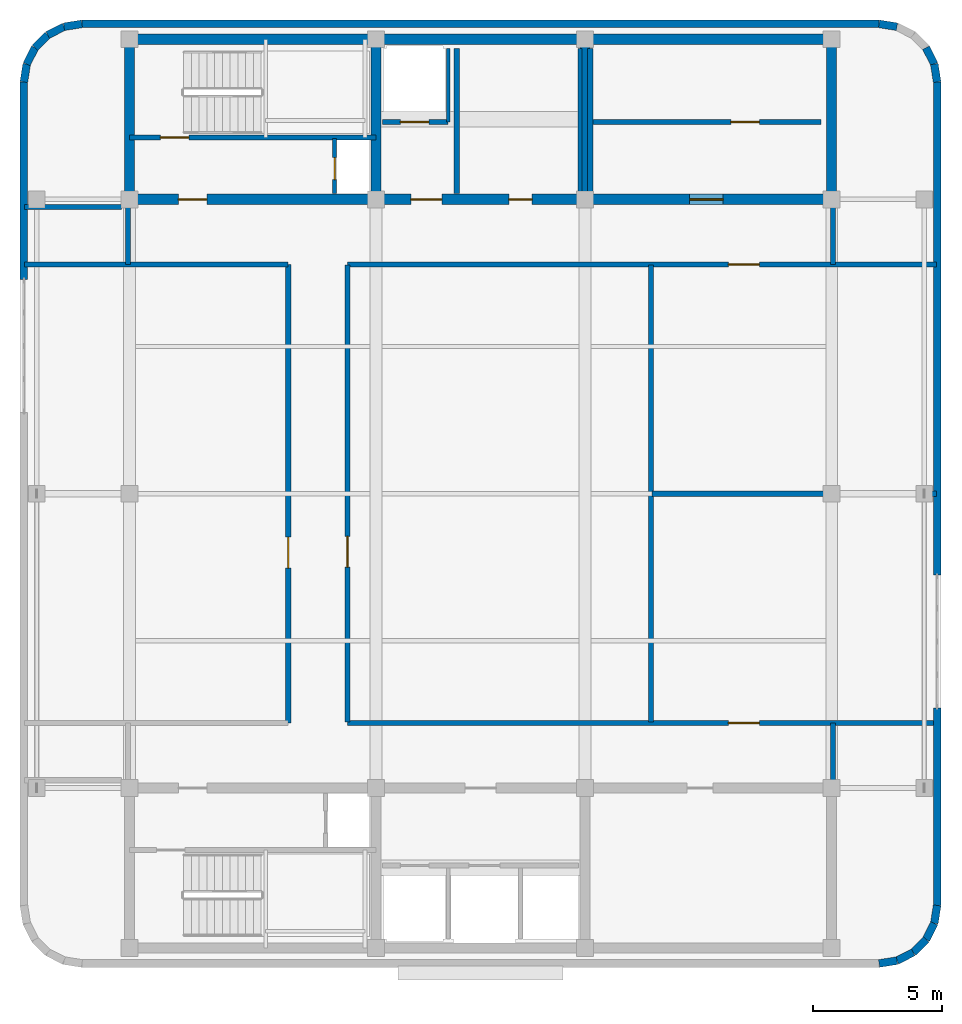
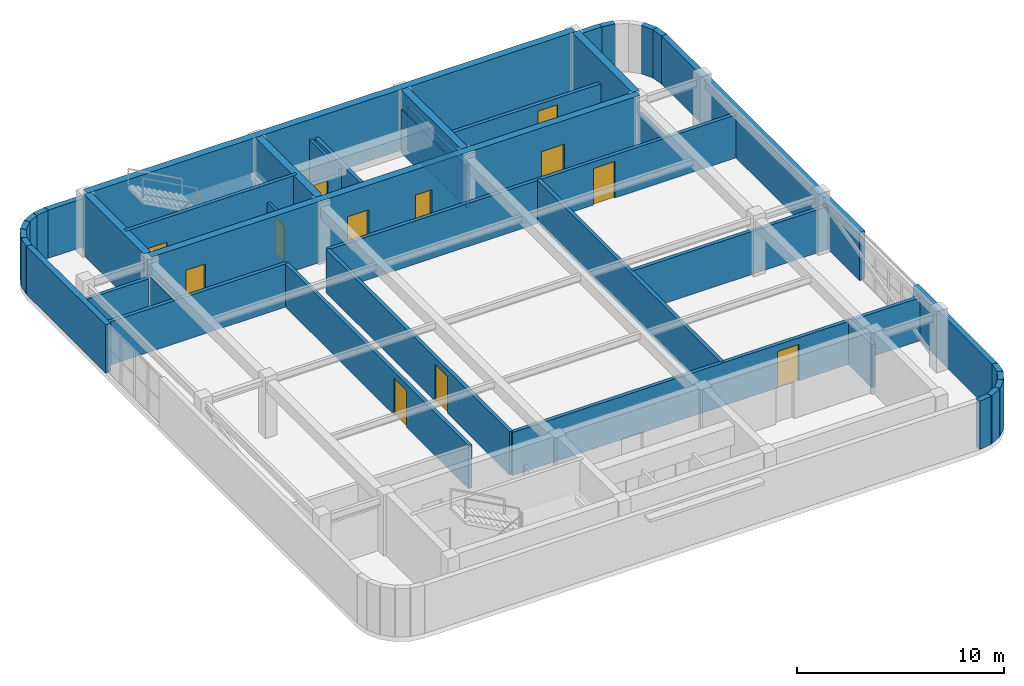
# One storey, part 5 of 9: 42 walls, 12 doors, 12 openings.
"""IFC4 building model written with IfcOpenShell, lengths in metres."""

import ifcopenshell
import ifcopenshell.guid

model = None  # the IFC model being written
_history = None  # IfcOwnerHistory: only IFC2X3 demands one
_inside = {}  # id of a spatial element -> (the spatial element, [elements in it])
_under = {}  # id of a project, library or spatial element -> (it, [spatial elements below it])
_declared = {}  # id of a project -> (the project, [libraries it declares])
_typed = {}  # id of a type object -> (the type object, [elements of that type])
_made_of = {}  # id of a material, layer set ... -> (it, [elements and type objects made of it])


def new_model(schema):
    """Start an empty IFC model of exactly this schema.

    Asked for "IFC4X3", IfcOpenShell would pick the latest addendum, in which some entities
    have other attributes; the version numbers below select the first issue.
    IFC2X3 requires an IfcOwnerHistory on every rooted entity: one is made here for all.
    """
    global model, _history
    if schema == "IFC4X3":
        model = ifcopenshell.file(schema_version=(4, 3, 0, 0))
    else:
        model = ifcopenshell.file(schema=schema)
    _inside.clear()
    _under.clear()
    _declared.clear()
    _typed.clear()
    _made_of.clear()
    _history = None
    if model.schema == "IFC2X3":
        org = make("IfcOrganization", Name="unknown")
        user = make(
            "IfcPersonAndOrganization",
            ThePerson=make("IfcPerson", FamilyName="unknown"),
            TheOrganization=org,
        )
        app = make(
            "IfcApplication",
            ApplicationDeveloper=org,
            Version="unknown",
            ApplicationFullName="unknown",
            ApplicationIdentifier="unknown",
        )
        _history = make(
            "IfcOwnerHistory",
            OwningUser=user,
            OwningApplication=app,
            ChangeAction="ADDED",
            CreationDate=0,
        )
    return model


def make(cls, **values):
    """One entity of the class cls with the attributes given. An attribute that is None is left unset."""
    return model.create_entity(
        cls, **{name: value for name, value in values.items() if value is not None}
    )


def rooted(cls, **values):
    """An entity with a GlobalId (a new one), such as an element, a storey or a relation."""
    return make(cls, GlobalId=ifcopenshell.guid.new(), OwnerHistory=_history, **values)


def si_unit(unit_type, name, prefix=None):
    """IfcSIUnit, for example si_unit("LENGTHUNIT", "METRE", prefix="MILLI")."""
    return make("IfcSIUnit", UnitType=unit_type, Prefix=prefix, Name=name)


def assignment(units):
    """IfcUnitAssignment: the units of a project."""
    return None if units is None else make("IfcUnitAssignment", Units=units)


def point(xyz):
    """IfcCartesianPoint."""
    return None if xyz is None else make("IfcCartesianPoint", Coordinates=xyz)


def direction(xyz):
    """IfcDirection."""
    return None if xyz is None else make("IfcDirection", DirectionRatios=xyz)


def frame(location, z_axis=None, x_axis=None):
    """IfcAxis2Placement3D, a coordinate frame: its origin and axes. An axis left out is left unset."""
    return make(
        "IfcAxis2Placement3D",
        Location=point(location),
        Axis=direction(z_axis),
        RefDirection=direction(x_axis),
    )


def frame_2d(location, x_axis=None):
    """IfcAxis2Placement2D, a coordinate frame in the plane: its origin and x axis."""
    return make(
        "IfcAxis2Placement2D", Location=point(location), RefDirection=direction(x_axis)
    )


def origin():
    """The frame at (0, 0, 0) with its axes left unset."""
    return frame((0.0, 0.0, 0.0))


def place(relative_to, where):
    """IfcLocalPlacement: puts the frame where relative to a parent placement (None: the world)."""
    return make(
        "IfcLocalPlacement", PlacementRelTo=relative_to, RelativePlacement=where
    )


def context(
    kind, dimensions, precision=None, world=None, true_north=None, identifier=None
):
    """IfcGeometricRepresentationContext, for example the 3D "Model" context."""
    return make(
        "IfcGeometricRepresentationContext",
        ContextIdentifier=identifier,
        ContextType=kind,
        CoordinateSpaceDimension=dimensions,
        Precision=precision,
        WorldCoordinateSystem=world,
        TrueNorth=true_north,
    )


def subcontext(parent, identifier, kind, view, scale=None):
    """IfcGeometricRepresentationSubContext, for example "Body" below "Model"."""
    return make(
        "IfcGeometricRepresentationSubContext",
        ContextIdentifier=identifier,
        ContextType=kind,
        ParentContext=parent,
        TargetScale=scale,
        TargetView=view,
    )


def project(units=None, contexts=None):
    """IfcProject with its units and contexts."""
    return rooted(
        "IfcProject",
        Name="project",
        RepresentationContexts=contexts,
        UnitsInContext=assignment(units),
    )


def spatial(cls, under=None, at=None, **own):
    """A site, building, storey or space (cls), placed at a placement, below another one or the project."""
    s = rooted(cls, ObjectPlacement=at, **own)
    if under is not None:
        _under.setdefault(under.id(), (under, []))[1].append(s)
    return s


def profile(cls, at=None, kind="AREA", **sizes):
    """A parametric profile (cls). Its sizes go by their IFC names, for example OverallWidth=200.0."""
    return make(cls, ProfileType=kind, Position=at, **sizes)


def rectangle(**sizes):
    """IfcRectangleProfileDef."""
    return profile("IfcRectangleProfileDef", **sizes)


def extrude(swept, where, along, depth):
    """IfcExtrudedAreaSolid: the profile swept, set in the frame where, extruded along a direction by depth."""
    return make(
        "IfcExtrudedAreaSolid",
        SweptArea=swept,
        Position=where,
        ExtrudedDirection=direction(along),
        Depth=depth,
    )


def shape(context_of_items, identifier, shape_type, items):
    """IfcShapeRepresentation: the items that make up one representation, for example the "Body"."""
    return make(
        "IfcShapeRepresentation",
        ContextOfItems=context_of_items,
        RepresentationIdentifier=identifier,
        RepresentationType=shape_type,
        Items=items,
    )


def material(Name=None, Category=None):
    """IfcMaterial."""
    return make("IfcMaterial", Name=Name, Category=Category)


def layer(
    of_material, thickness, ventilated=None, Name=None, Category=None, Priority=None
):
    """IfcMaterialLayer: one layer of a wall or slab, of a material (None: an air gap)."""
    return make(
        "IfcMaterialLayer",
        Material=of_material,
        LayerThickness=thickness,
        IsVentilated=ventilated,
        Name=Name,
        Category=Category,
        Priority=Priority,
    )


def layer_set(layers, Name=None):
    """IfcMaterialLayerSet."""
    return make("IfcMaterialLayerSet", MaterialLayers=layers, LayerSetName=Name)


def made_of(thing, what):
    """Note that an element or type object is made of a material, layer set ...; save() writes the relation."""
    if what is not None:
        _made_of.setdefault(what.id(), (what, []))[1].append(thing)
    return thing


def type_object(cls, material=None, **own):
    """A type object (cls), such as IfcWallType, which elements share."""
    return made_of(rooted(cls, **own), material)


def element(
    cls,
    number,
    at=None,
    inside=None,
    cuts=None,
    type_object=None,
    material=None,
    context=None,
    identifier="Body",
    shape_type=None,
    held_by="IfcProductDefinitionShape",
    body=None,
    shapes=None,
    **own,
):
    """One element of the class cls, such as IfcWall. Its Tag is "e" and its number.

    at: its placement. inside: the storey or other place that contains it. cuts: it is an
    opening in that element (IfcRelVoidsElement). A single representation is given by context,
    identifier, shape_type and body (its items); several are given by shapes. held_by: the class
    of the entity that holds the representations. save() writes the other relations.
    """
    e = rooted(cls, Tag="e%d" % number, ObjectPlacement=at, **own)
    if body is not None:
        shapes = [shape(context, identifier, shape_type, body)]
    if shapes is not None:
        e.Representation = make(held_by, Representations=shapes)
    if inside is not None:
        _inside.setdefault(inside.id(), (inside, []))[1].append(e)
    if cuts is not None:
        rooted(
            "IfcRelVoidsElement", RelatingBuildingElement=cuts, RelatedOpeningElement=e
        )
    if type_object is not None:
        _typed.setdefault(type_object.id(), (type_object, []))[1].append(e)
    return made_of(e, material)


def fill(opening, filler):
    """IfcRelFillsElement: the door or window that sits in an opening."""
    return rooted(
        "IfcRelFillsElement",
        RelatingOpeningElement=opening,
        RelatedBuildingElement=filler,
    )


def aggregate(whole, parts):
    """IfcRelAggregates: a whole, such as a stair, and the parts it consists of."""
    return rooted("IfcRelAggregates", RelatingObject=whole, RelatedObjects=parts)


def save(model, path):
    """Write the relations noted so far, then the file.

    IfcRelAggregates (storeys below a building ...), IfcRelContainedInSpatialStructure (elements
    in a storey), IfcRelDefinesByType, IfcRelAssociatesMaterial and IfcRelDeclares: one each for
    every whole, place, type object, material and project.
    """
    for whole, parts in _under.values():
        aggregate(whole, parts)
    for where, things in _inside.values():
        rooted(
            "IfcRelContainedInSpatialStructure",
            RelatedElements=things,
            RelatingStructure=where,
        )
    for kind, things in _typed.values():
        rooted("IfcRelDefinesByType", RelatedObjects=things, RelatingType=kind)
    for what, things in _made_of.values():
        rooted("IfcRelAssociatesMaterial", RelatedObjects=things, RelatingMaterial=what)
    for by, libraries in _declared.values():
        rooted("IfcRelDeclares", RelatingContext=by, RelatedDefinitions=libraries)
    model.write(path)


model = new_model("IFC4")

# Units and contexts
model_context = context("Model", 3, precision=1e-05, world=origin(), true_north=direction((0.0, 1.0)))
body_context = subcontext(model_context, "Body", "Model", "MODEL_VIEW")
ifc_project = project(units=[si_unit("LENGTHUNIT", "METRE"), si_unit("AREAUNIT", "SQUARE_METRE"), si_unit("VOLUMEUNIT", "CUBIC_METRE"), si_unit("PLANEANGLEUNIT", "RADIAN"), si_unit("MASSUNIT", "GRAM", prefix="KILO")], contexts=[model_context])

# Site, building, storey
site_placement = place(None, origin())
site = spatial("IfcSite", under=ifc_project, at=site_placement, CompositionType="ELEMENT")
building_placement = place(site_placement, origin())
building = spatial("IfcBuilding", under=site, at=building_placement, Name="Svetorya Sky Lyceum", CompositionType="ELEMENT")
storey_placement = place(building_placement, frame((0.0, 0.0, 316.39990234375)))
storey = spatial("IfcBuildingStorey", under=building, at=storey_placement, Name="C05", CompositionType="ELEMENT", Elevation=316.39990234375)

# Walls
ifc_material_1 = material(Name="Concrete C40/50", Category="concrete")
ifc_layer_1 = layer(ifc_material_1, 0.39990234375)
ifc_layer_set_1 = layer_set([ifc_layer_1], Name="Concrete C40/50")
wall_type_1 = type_object("IfcWallType", Name="WL-CORE-400", PredefinedType="SHEAR", material=ifc_layer_set_1)
wall_1_placement = place(storey_placement, frame((25.60009765625, 45.800048828125, 0.0), z_axis=(0.0, 0.0, 1.0), x_axis=(1.0, 0.0, 0.0)))
element("IfcWall", 1, at=wall_1_placement, inside=storey, type_object=wall_type_1, Name="C05 NC Outer Core Shear Wall", PredefinedType="SHEAR", context=body_context, shape_type="SweptSolid", body=[
    extrude(rectangle(XDim=27.199951171875, YDim=0.39990234375, at=frame_2d((13.60009765625, 0.0))), origin(), (0.0, 0.0, 1.0), 3.60009765625),
])
for number, where, z_axis, x_axis, name in (
    (2, (25.60009765625, 39.800048828125, 0.0), (0.0, 0.0, 1.0), (0.0, 1.0, 0.0), "C05 NC West Core Shear Wall"),
    (3, (52.800048828125, 39.800048828125, 0.0), (0.0, 0.0, 1.0), (0.0, 1.0, 0.0), "C05 NC East Core Shear Wall"),
):
    element("IfcWall", number, at=place(storey_placement, frame(where, z_axis=z_axis, x_axis=x_axis)), inside=storey, type_object=wall_type_1, Name=name, PredefinedType="SHEAR", context=body_context, shape_type="SweptSolid", body=[
        extrude(rectangle(XDim=5.800048828125, YDim=0.39990234375, at=frame_2d((2.89990234375, 0.0))), origin(), (0.0, 0.0, 1.0), 3.60009765625),
    ])

# Wall, openings, doors
wall_2_placement = place(storey_placement, frame((52.800048828125, 39.60009765625, 0.0), z_axis=(0.0, 0.0, 1.0), x_axis=(-1.0, 0.0, 0.0)))
wall_2 = element("IfcWall", 4, at=wall_2_placement, inside=storey, type_object=wall_type_1, Name="C05 NC Inner Core Shear Wall", PredefinedType="SHEAR", context=body_context, shape_type="SweptSolid", body=[
    extrude(rectangle(XDim=27.199951171875, YDim=0.39990234375, at=frame_2d((13.60009765625, 0.0))), origin(), (0.0, 0.0, 1.0), 3.60009765625),
])
opening_1_placement = place(wall_2_placement, frame((24.199951171875, 0.0, 0.0)))
opening_1 = element("IfcOpeningElement", 5, at=opening_1_placement, cuts=wall_2, Name="Opening D-ST1", PredefinedType="OPENING", context=body_context, shape_type="SweptSolid", body=[
    extrude(rectangle(XDim=1.10009765625, YDim=2.14990234375, at=frame_2d((0.550048828125, 1.074951171875))), frame((0.0, 0.2099609375, 0.0), z_axis=(0.0, -1.0, 0.0), x_axis=(1.0, 0.0, 0.0)), (0.0, 0.0, 1.0), 0.419921875),
])
opening_2_placement = place(wall_2_placement, frame((15.10009765625, 0.0, 0.0)))
opening_2 = element("IfcOpeningElement", 6, at=opening_2_placement, cuts=wall_2, Name="Opening D-FL1", PredefinedType="OPENING", context=body_context, shape_type="SweptSolid", body=[
    extrude(rectangle(XDim=1.199951171875, YDim=2.14990234375, at=frame_2d((0.60009765625, 1.074951171875))), frame((0.0, 0.2099609375, 0.0), z_axis=(0.0, -1.0, 0.0), x_axis=(1.0, 0.0, 0.0)), (0.0, 0.0, 1.0), 0.419921875),
])
opening_3_placement = place(wall_2_placement, frame((11.60009765625, 0.0, 0.0)))
opening_3 = element("IfcOpeningElement", 7, at=opening_3_placement, cuts=wall_2, Name="Opening D-RM1", PredefinedType="OPENING", context=body_context, shape_type="SweptSolid", body=[
    extrude(rectangle(XDim=0.89990234375, YDim=2.10009765625, at=frame_2d((0.449951171875, 1.050048828125))), frame((0.0, 0.2099609375, 0.0), z_axis=(0.0, -1.0, 0.0), x_axis=(1.0, 0.0, 0.0)), (0.0, 0.0, 1.0), 0.419921875),
])
opening_4_placement = place(wall_2_placement, frame((4.199951171875, 0.0, 0.0)))
opening_4 = element("IfcOpeningElement", 8, at=opening_4_placement, cuts=wall_2, Name="Opening D-LB1", PredefinedType="OPENING", context=body_context, shape_type="SweptSolid", body=[
    extrude(rectangle(XDim=1.300048828125, YDim=2.199951171875, at=frame_2d((0.64990234375, 1.10009765625))), frame((0.0, 0.2099609375, 0.0), z_axis=(0.0, -1.0, 0.0), x_axis=(1.0, 0.0, 0.0)), (0.0, 0.0, 1.0), 0.419921875),
])
ifc_material_2 = material(Name="Powder-coated insulated galvanized stair fire door")
door_type_1 = type_object("IfcDoorType", Name="DR-FIRE-1100", OperationType="SINGLE_SWING_LEFT", PredefinedType="DOOR", material=ifc_material_2)
door_1_placement = place(opening_1_placement, origin())
door_1 = element("IfcDoor", 9, at=door_1_placement, inside=storey, type_object=door_type_1, Name="C05 North Stair Airlock Door", OperationType="SINGLE_SWING_LEFT", OverallHeight=2.14990234375, OverallWidth=1.10009765625, PredefinedType="DOOR", context=body_context, shape_type="SweptSolid", body=[
    extrude(rectangle(XDim=1.10009765625, YDim=2.14990234375, at=frame_2d((0.550048828125, 1.074951171875))), frame((0.0, 0.02490234375, 0.0), z_axis=(0.0, -1.0, 0.0), x_axis=(1.0, 0.0, 0.0)), (0.0, 0.0, 1.0), 0.050048828125),
])
fill(opening_1, door_1)
ifc_material_3 = material(Name="Powder-coated insulated galvanized fire door")
door_type_2 = type_object("IfcDoorType", Name="DR-FIRE-1200", OperationType="SINGLE_SWING_LEFT", PredefinedType="DOOR", material=ifc_material_3)
door_2_placement = place(opening_2_placement, origin())
door_2 = element("IfcDoor", 10, at=door_2_placement, inside=storey, type_object=door_type_2, Name="C05 North Firefighting Lift Lobby Door", OperationType="SINGLE_SWING_RIGHT", OverallHeight=2.14990234375, OverallWidth=1.199951171875, PredefinedType="DOOR", context=body_context, shape_type="SweptSolid", body=[
    extrude(rectangle(XDim=1.199951171875, YDim=2.14990234375, at=frame_2d((0.60009765625, 1.074951171875))), frame((0.0, 0.02490234375, 0.0), z_axis=(0.0, -1.0, 0.0), x_axis=(1.0, 0.0, 0.0)), (0.0, 0.0, 1.0), 0.050048828125),
])
fill(opening_2, door_2)
ifc_material_4 = material(Name="Lacquered birch veneer internal door")
door_type_3 = type_object("IfcDoorType", Name="DR-INT-900", OperationType="SINGLE_SWING_LEFT", PredefinedType="DOOR", material=ifc_material_4)
door_3_placement = place(opening_3_placement, origin())
door_3 = element("IfcDoor", 11, at=door_3_placement, inside=storey, type_object=door_type_3, Name="C05 Upper Archive Door", OperationType="SINGLE_SWING_LEFT", OverallHeight=2.10009765625, OverallWidth=0.89990234375, PredefinedType="DOOR", context=body_context, shape_type="SweptSolid", body=[
    extrude(rectangle(XDim=0.89990234375, YDim=2.10009765625, at=frame_2d((0.449951171875, 1.050048828125))), frame((0.0, 0.02490234375, 0.0), z_axis=(0.0, -1.0, 0.0), x_axis=(1.0, 0.0, 0.0)), (0.0, 0.0, 1.0), 0.050048828125),
])
fill(opening_3, door_3)
ifc_material_5 = material(Name="Glazed fire-rated aluminium lobby door", Category="aluminium")
door_type_4 = type_object("IfcDoorType", Name="DR-LOB-1300", OperationType="SINGLE_SWING_LEFT", PredefinedType="DOOR", material=ifc_material_5)
door_4_placement = place(opening_4_placement, origin())
door_4 = element("IfcDoor", 12, at=door_4_placement, inside=storey, type_object=door_type_4, Name="C05 Crown Access Lobby Door", OperationType="SINGLE_SWING_LEFT", OverallHeight=2.199951171875, OverallWidth=1.300048828125, PredefinedType="DOOR", context=body_context, shape_type="SweptSolid", body=[
    extrude(rectangle(XDim=1.300048828125, YDim=2.199951171875, at=frame_2d((0.64990234375, 1.10009765625))), frame((0.0, 0.02490234375, 0.0), z_axis=(0.0, -1.0, 0.0), x_axis=(1.0, 0.0, 0.0)), (0.0, 0.0, 1.0), 0.050048828125),
])
fill(opening_4, door_4)

# Walls
for number, where, z_axis, x_axis, name in (
    (13, (35.14990234375, 39.800048828125, 0.0), (0.0, 0.0, 1.0), (0.0, 1.0, 0.0), "C05 NC Internal Shear Web WEB1"),
    (14, (43.25, 39.800048828125, 0.0), (0.0, 0.0, 1.0), (0.0, 1.0, 0.0), "C05 NC Internal Shear Web WEB2"),
):
    element("IfcWall", number, at=place(storey_placement, frame(where, z_axis=z_axis, x_axis=x_axis)), inside=storey, type_object=wall_type_1, Name=name, PredefinedType="SHEAR", context=body_context, shape_type="SweptSolid", body=[
        extrude(rectangle(XDim=5.800048828125, YDim=0.39990234375, at=frame_2d((2.89990234375, 0.0))), origin(), (0.0, 0.0, 1.0), 3.60009765625),
    ])
ifc_material_6 = material(Name="Putilovo limestone rainscreen on autoclaved cellular masonry", Category="masonry")
ifc_layer_2 = layer(ifc_material_6, 0.300048828125)
ifc_layer_set_2 = layer_set([ifc_layer_2], Name="Putilovo limestone rainscreen on autoclaved cellular masonry")
wall_type_2 = type_object("IfcWallType", Name="WL-EXT-300", PredefinedType="SOLIDWALL", material=ifc_layer_set_2)
for number, where, z_axis, x_axis, name in (
    (15, (54.639892578125, 10.0, 0.0), (0.0, 0.0, 1.0), (0.987692567255, 0.156407776626, 0.0), "C05 Limestone Exterior Wall 7M"),
    (16, (55.335205078125, 10.110107421875, 0.0), (0.0, 0.0, 1.0), (0.891002438725, 0.453998517824, 0.0), "C05 Limestone Exterior Wall 8M"),
):
    element("IfcWall", number, at=place(storey_placement, frame(where, z_axis=z_axis, x_axis=x_axis)), inside=storey, type_object=wall_type_2, Name=name, PredefinedType="SOLIDWALL", context=body_context, shape_type="SweptSolid", body=[
        extrude(rectangle(XDim=0.703857421875, YDim=0.300048828125, at=frame_2d((0.35205078125, 0.0))), origin(), (0.0, 0.0, 1.0), 2.840087890625),
    ])
wall_3_placement = place(storey_placement, frame((55.96240234375, 10.4296875, 0.0), z_axis=(0.0, 0.0, 1.0), x_axis=(0.707106781187, 0.707106781187, 0.0)))
element("IfcWall", 17, at=wall_3_placement, inside=storey, type_object=wall_type_2, Name="C05 Limestone Exterior Wall 9M", PredefinedType="SOLIDWALL", context=body_context, shape_type="SweptSolid", body=[
    extrude(rectangle(XDim=0.7041015625, YDim=0.300048828125, at=frame_2d((0.35205078125, 0.0))), origin(), (0.0, 0.0, 1.0), 2.840087890625),
])
for number, where, z_axis, x_axis, name in (
    (18, (56.460205078125, 10.927490234375, 0.0), (0.0, 0.0, 1.0), (0.453998517824, 0.891002438725, 0.0), "C05 Limestone Exterior Wall 10M"),
    (19, (56.77978515625, 11.5546875, 0.0), (0.0, 0.0, 1.0), (0.156407776626, 0.987692567255, 0.0), "C05 Limestone Exterior Wall 11M"),
):
    element("IfcWall", number, at=place(storey_placement, frame(where, z_axis=z_axis, x_axis=x_axis)), inside=storey, type_object=wall_type_2, Name=name, PredefinedType="SOLIDWALL", context=body_context, shape_type="SweptSolid", body=[
        extrude(rectangle(XDim=0.703857421875, YDim=0.300048828125, at=frame_2d((0.35205078125, 0.0))), origin(), (0.0, 0.0, 1.0), 2.840087890625),
    ])
wall_4_placement = place(storey_placement, frame((56.889892578125, 12.25, 0.0), z_axis=(0.0, 0.0, 1.0), x_axis=(0.0, 1.0, 0.0)))
element("IfcWall", 20, at=wall_4_placement, inside=storey, type_object=wall_type_2, Name="C05 Limestone Exterior Wall 12A", PredefinedType="SOLIDWALL", context=body_context, shape_type="SweptSolid", body=[
    extrude(rectangle(XDim=7.64990234375, YDim=0.300048828125, at=frame_2d((3.824951171875, 0.0))), origin(), (0.0, 0.0, 1.0), 2.840087890625),
])
wall_5_placement = place(storey_placement, frame((56.889892578125, 25.050048828125, 0.0), z_axis=(0.0, 0.0, 1.0), x_axis=(0.0, 1.0, 0.0)))
element("IfcWall", 21, at=wall_5_placement, inside=storey, type_object=wall_type_2, Name="C05 Limestone Exterior Wall 12B", PredefinedType="SOLIDWALL", context=body_context, shape_type="SweptSolid", body=[
    extrude(rectangle(XDim=19.099853515625, YDim=0.300048828125, at=frame_2d((9.5498046875, 0.0))), origin(), (0.0, 0.0, 1.0), 2.840087890625),
])
for number, where, z_axis, x_axis, name in (
    (22, (56.889892578125, 44.14990234375, 0.0), (0.0, 0.0, 1.0), (-0.156407776626, 0.987692567255, 0.0), "C05 Limestone Exterior Wall 13M"),
    (23, (56.77978515625, 44.84521484375, 0.0), (0.0, 0.0, 1.0), (-0.453998517824, 0.891002438725, 0.0), "C05 Limestone Exterior Wall 14M"),
    (24, (55.335205078125, 46.289794921875, 0.0), (0.0, 0.0, 1.0), (-0.987692567255, 0.156407776626, 0.0), "C05 Limestone Exterior Wall 17M"),
):
    element("IfcWall", number, at=place(storey_placement, frame(where, z_axis=z_axis, x_axis=x_axis)), inside=storey, type_object=wall_type_2, Name=name, PredefinedType="SOLIDWALL", context=body_context, shape_type="SweptSolid", body=[
        extrude(rectangle(XDim=0.703857421875, YDim=0.300048828125, at=frame_2d((0.35205078125, 0.0))), origin(), (0.0, 0.0, 1.0), 2.840087890625),
    ])
wall_6_placement = place(storey_placement, frame((54.639892578125, 46.39990234375, 0.0), z_axis=(0.0, 0.0, 1.0), x_axis=(-1.0, 0.0, 0.0)))
element("IfcWall", 25, at=wall_6_placement, inside=storey, type_object=wall_type_2, Name="C05 Limestone Exterior Wall 18M", PredefinedType="SOLIDWALL", context=body_context, shape_type="SweptSolid", body=[
    extrude(rectangle(XDim=30.8798828125, YDim=0.300048828125, at=frame_2d((15.43994140625, 0.0))), origin(), (0.0, 0.0, 1.0), 2.840087890625),
])
for number, where, z_axis, x_axis, name in (
    (26, (23.760009765625, 46.39990234375, 0.0), (0.0, 0.0, 1.0), (-0.987692567255, -0.156407776626, 0.0), "C05 Limestone Exterior Wall 19M"),
    (27, (23.064697265625, 46.289794921875, 0.0), (0.0, 0.0, 1.0), (-0.891002438725, -0.453998517824, 0.0), "C05 Limestone Exterior Wall 20M"),
):
    element("IfcWall", number, at=place(storey_placement, frame(where, z_axis=z_axis, x_axis=x_axis)), inside=storey, type_object=wall_type_2, Name=name, PredefinedType="SOLIDWALL", context=body_context, shape_type="SweptSolid", body=[
        extrude(rectangle(XDim=0.703857421875, YDim=0.300048828125, at=frame_2d((0.35205078125, 0.0))), origin(), (0.0, 0.0, 1.0), 2.840087890625),
    ])
wall_7_placement = place(storey_placement, frame((22.4375, 45.97021484375, 0.0), z_axis=(0.0, 0.0, 1.0), x_axis=(-0.707106781187, -0.707106781187, 0.0)))
element("IfcWall", 28, at=wall_7_placement, inside=storey, type_object=wall_type_2, Name="C05 Limestone Exterior Wall 21M", PredefinedType="SOLIDWALL", context=body_context, shape_type="SweptSolid", body=[
    extrude(rectangle(XDim=0.7041015625, YDim=0.300048828125, at=frame_2d((0.35205078125, 0.0))), origin(), (0.0, 0.0, 1.0), 2.840087890625),
])
for number, where, z_axis, x_axis, name in (
    (29, (21.939697265625, 45.472412109375, 0.0), (0.0, 0.0, 1.0), (-0.453998517824, -0.891002438725, 0.0), "C05 Limestone Exterior Wall 22M"),
    (30, (21.6201171875, 44.84521484375, 0.0), (0.0, 0.0, 1.0), (-0.156407776626, -0.987692567255, 0.0), "C05 Limestone Exterior Wall 23M"),
):
    element("IfcWall", number, at=place(storey_placement, frame(where, z_axis=z_axis, x_axis=x_axis)), inside=storey, type_object=wall_type_2, Name=name, PredefinedType="SOLIDWALL", context=body_context, shape_type="SweptSolid", body=[
        extrude(rectangle(XDim=0.703857421875, YDim=0.300048828125, at=frame_2d((0.35205078125, 0.0))), origin(), (0.0, 0.0, 1.0), 2.840087890625),
    ])
wall_8_placement = place(storey_placement, frame((21.510009765625, 44.14990234375, 0.0), z_axis=(0.0, 0.0, 1.0), x_axis=(0.0, -1.0, 0.0)))
element("IfcWall", 31, at=wall_8_placement, inside=storey, type_object=wall_type_2, Name="C05 Limestone Exterior Wall 24A", PredefinedType="SOLIDWALL", context=body_context, shape_type="SweptSolid", body=[
    extrude(rectangle(XDim=7.64990234375, YDim=0.300048828125, at=frame_2d((3.824951171875, 0.0))), origin(), (0.0, 0.0, 1.0), 2.840087890625),
])

# Wall, opening, door
ifc_material_7 = material(Name="Autoclaved cellular masonry blockwork with acoustic render", Category="masonry")
ifc_layer_3 = layer(ifc_material_7, 0.14990234375)
ifc_layer_set_3 = layer_set([ifc_layer_3], Name="Autoclaved cellular masonry blockwork with acoustic render")
wall_type_3 = type_object("IfcWallType", Name="WL-PART-150", PredefinedType="PARTITIONING", material=ifc_layer_set_3)
wall_9_placement = place(storey_placement, frame((33.550048828125, 39.820068359375, 0.0), z_axis=(0.0, 0.0, 1.0), x_axis=(0.0, 1.0, 0.0)))
wall_9 = element("IfcWall", 32, at=wall_9_placement, inside=storey, type_object=wall_type_3, Name="C05 Interior Partition NC-RSRW", PredefinedType="PARTITIONING", context=body_context, shape_type="SweptSolid", body=[
    extrude(rectangle(XDim=2.1298828125, YDim=0.14990234375, at=frame_2d((1.06494140625, 0.0))), origin(), (0.0, 0.0, 1.0), 2.5400390625),
])
opening_5_placement = place(wall_9_placement, frame((0.550048828125, 0.0, 0.0)))
opening_5 = element("IfcOpeningElement", 33, at=opening_5_placement, cuts=wall_9, Name="Opening D-SH1", PredefinedType="OPENING", context=body_context, shape_type="SweptSolid", body=[
    extrude(rectangle(XDim=0.85009765625, YDim=2.050048828125, at=frame_2d((0.425048828125, 1.02490234375))), frame((0.0, 0.0849609375, 0.0), z_axis=(0.0, -1.0, 0.0), x_axis=(1.0, 0.0, 0.0)), (0.0, 0.0, 1.0), 0.169921875),
])
ifc_material_8 = material(Name="Insulated galvanized riser inspection fire door")
door_type_5 = type_object("IfcDoorType", Name="DR-SHFT-850", OperationType="SINGLE_SWING_LEFT", PredefinedType="TRAPDOOR", material=ifc_material_8)
door_5_placement = place(opening_5_placement, origin())
door_5 = element("IfcDoor", 34, at=door_5_placement, inside=storey, type_object=door_type_5, Name="C05 North Riser Access Door", OperationType="SINGLE_SWING_LEFT", OverallHeight=2.050048828125, OverallWidth=0.85009765625, PredefinedType="TRAPDOOR", context=body_context, shape_type="SweptSolid", body=[
    extrude(rectangle(XDim=0.85009765625, YDim=2.050048828125, at=frame_2d((0.425048828125, 1.02490234375))), frame((0.0, 0.02490234375, 0.0), z_axis=(0.0, -1.0, 0.0), x_axis=(1.0, 0.0, 0.0)), (0.0, 0.0, 1.0), 0.050048828125),
])
fill(opening_5, door_5)

# Walls
wall_10_placement = place(storey_placement, frame((37.949951171875, 42.60009765625, 0.0), z_axis=(0.0, 0.0, 1.0), x_axis=(0.0, 1.0, 0.0)))
element("IfcWall", 35, at=wall_10_placement, inside=storey, type_object=wall_type_3, Name="C05 Interior Partition NC-FL1SIDE", PredefinedType="PARTITIONING", context=body_context, shape_type="SweptSolid", body=[
    extrude(rectangle(XDim=2.849853515625, YDim=0.14990234375, at=frame_2d((1.4248046875, 0.0))), origin(), (0.0, 0.0, 1.0), 2.5400390625),
])
wall_11_placement = place(storey_placement, frame((43.050048828125, 39.820068359375, 0.0), z_axis=(0.0, 0.0, 1.0), x_axis=(0.0, 1.0, 0.0)))
element("IfcWall", 36, at=wall_11_placement, inside=storey, type_object=wall_type_3, Name="C05 Interior Partition NC-FPM-END", PredefinedType="PARTITIONING", context=body_context, shape_type="SweptSolid", body=[
    extrude(rectangle(XDim=5.6298828125, YDim=0.14990234375, at=frame_2d((2.81494140625, 0.0))), origin(), (0.0, 0.0, 1.0), 2.5400390625),
])

# Wall, opening, door
ifc_material_9 = material(Name="Autoclaved cellular masonry blockwork with gypsum plaster", Category="masonry")
ifc_layer_4 = layer(ifc_material_9, 0.199951171875)
ifc_layer_set_4 = layer_set([ifc_layer_4], Name="Autoclaved cellular masonry blockwork with gypsum plaster")
wall_type_4 = type_object("IfcWallType", Name="WL-PART-200", PredefinedType="PARTITIONING", material=ifc_layer_set_4)
wall_12_placement = place(storey_placement, frame((37.949951171875, 42.60009765625, 0.0), z_axis=(0.0, 0.0, 1.0), x_axis=(-1.0, 0.0, 0.0)))
wall_12 = element("IfcWall", 37, at=wall_12_placement, inside=storey, type_object=wall_type_4, Name="C05 Interior Partition NC-FL1W", PredefinedType="PARTITIONING", context=body_context, shape_type="SweptSolid", body=[
    extrude(rectangle(XDim=2.550048828125, YDim=0.199951171875, at=frame_2d((1.27490234375, 0.0))), origin(), (0.0, 0.0, 1.0), 2.2001953125),
])
opening_6_placement = place(wall_12_placement, frame((0.75, 0.0, 0.0)))
opening_6 = element("IfcOpeningElement", 38, at=opening_6_placement, cuts=wall_12, Name="Opening LD-FL", PredefinedType="OPENING", context=body_context, shape_type="SweptSolid", body=[
    extrude(rectangle(XDim=1.10009765625, YDim=2.14990234375, at=frame_2d((0.550048828125, 1.074951171875))), frame((0.0, 0.10986328125, 0.0), z_axis=(0.0, -1.0, 0.0), x_axis=(1.0, 0.0, 0.0)), (0.0, 0.0, 1.0), 0.219970703125),
])
ifc_material_10 = material(Name="Fire-rated stainless AISI 304 firefighting lift landing door")
door_type_6 = type_object("IfcDoorType", Name="DR-LIFT-1100", OperationType="SLIDING_TO_LEFT", PredefinedType="DOOR", material=ifc_material_10)
door_6_placement = place(opening_6_placement, origin())
door_6 = element("IfcDoor", 39, at=door_6_placement, inside=storey, type_object=door_type_6, Name="C05 Firefighting Lift FL1 Landing Door", OperationType="SLIDING_TO_LEFT", OverallHeight=2.14990234375, OverallWidth=1.10009765625, PredefinedType="DOOR", context=body_context, shape_type="SweptSolid", body=[
    extrude(rectangle(XDim=1.10009765625, YDim=2.14990234375, at=frame_2d((0.550048828125, 1.074951171875))), frame((0.0, 0.02490234375, 0.0), z_axis=(0.0, -1.0, 0.0), x_axis=(1.0, 0.0, 0.0)), (0.0, 0.0, 1.0), 0.050048828125),
])
fill(opening_6, door_6)

# Walls
for number, where, z_axis, x_axis, name in (
    (40, (38.280029296875, 39.820068359375, 0.0), (0.0, 0.0, 1.0), (0.0, 1.0, 0.0), "C05 Interior Partition NC-FFLDIV"),
    (41, (43.449951171875, 39.820068359375, 0.0), (0.0, 0.0, 1.0), (0.0, 1.0, 0.0), "C05 Interior Partition NC-CPMR-W"),
):
    element("IfcWall", number, at=place(storey_placement, frame(where, z_axis=z_axis, x_axis=x_axis)), inside=storey, type_object=wall_type_4, Name=name, PredefinedType="PARTITIONING", context=body_context, shape_type="SweptSolid", body=[
        extrude(rectangle(XDim=5.6298828125, YDim=0.199951171875, at=frame_2d((2.81494140625, 0.0))), origin(), (0.0, 0.0, 1.0), 2.5400390625),
    ])

# Wall, opening, door
wall_13_placement = place(storey_placement, frame((52.39990234375, 42.60009765625, 0.0), z_axis=(0.0, 0.0, 1.0), x_axis=(-1.0, 0.0, 0.0)))
wall_13 = element("IfcWall", 42, at=wall_13_placement, inside=storey, type_object=wall_type_4, Name="C05 Interior Partition NC-PHW", PredefinedType="PARTITIONING", context=body_context, shape_type="SweptSolid", body=[
    extrude(rectangle(XDim=8.849853515625, YDim=0.199951171875, at=frame_2d((4.4248046875, 0.0))), origin(), (0.0, 0.0, 1.0), 2.5400390625),
])
opening_7_placement = place(wall_13_placement, frame((2.39990234375, 0.0, 0.0)))
opening_7 = element("IfcOpeningElement", 43, at=opening_7_placement, cuts=wall_13, Name="Opening D-ST1", PredefinedType="OPENING", context=body_context, shape_type="SweptSolid", body=[
    extrude(rectangle(XDim=1.10009765625, YDim=2.14990234375, at=frame_2d((0.550048828125, 1.074951171875))), frame((0.0, 0.10986328125, 0.0), z_axis=(0.0, -1.0, 0.0), x_axis=(1.0, 0.0, 0.0)), (0.0, 0.0, 1.0), 0.219970703125),
])
door_7_placement = place(opening_7_placement, origin())
door_7 = element("IfcDoor", 44, at=door_7_placement, inside=storey, type_object=door_type_1, Name="C05 Lift Motor Room Door", OperationType="SINGLE_SWING_LEFT", OverallHeight=2.14990234375, OverallWidth=1.10009765625, PredefinedType="DOOR", context=body_context, shape_type="SweptSolid", body=[
    extrude(rectangle(XDim=1.10009765625, YDim=2.14990234375, at=frame_2d((0.550048828125, 1.074951171875))), frame((0.0, 0.02490234375, 0.0), z_axis=(0.0, -1.0, 0.0), x_axis=(1.0, 0.0, 0.0)), (0.0, 0.0, 1.0), 0.050048828125),
])
fill(opening_7, door_7)

# Wall
wall_14_placement = place(storey_placement, frame((21.530029296875, 37.080078125, 0.0), z_axis=(0.0, 0.0, 1.0), x_axis=(1.0, 0.0, 0.0)))
element("IfcWall", 45, at=wall_14_placement, inside=storey, type_object=wall_type_4, Name="C05 Interior Partition PL-NW", PredefinedType="PARTITIONING", context=body_context, shape_type="SweptSolid", body=[
    extrude(rectangle(XDim=10.219970703125, YDim=0.199951171875, at=frame_2d((5.10986328125, 0.0))), origin(), (0.0, 0.0, 1.0), 2.5400390625),
])

# Wall, opening, door
wall_15_placement = place(storey_placement, frame((31.75, 19.320068359375, 0.0), z_axis=(0.0, 0.0, 1.0), x_axis=(0.0, 1.0, 0.0)))
wall_15 = element("IfcWall", 46, at=wall_15_placement, inside=storey, type_object=wall_type_4, Name="C05 Interior Partition PL-W1", PredefinedType="PARTITIONING", context=body_context, shape_type="SweptSolid", body=[
    extrude(rectangle(XDim=17.760009765625, YDim=0.199951171875, at=frame_2d((8.8798828125, 0.0))), origin(), (0.0, 0.0, 1.0), 2.5400390625),
])
opening_8_placement = place(wall_15_placement, frame((6.0, 0.0, 0.0)))
opening_8 = element("IfcOpeningElement", 47, at=opening_8_placement, cuts=wall_15, Name="Opening D-FL1", PredefinedType="OPENING", context=body_context, shape_type="SweptSolid", body=[
    extrude(rectangle(XDim=1.199951171875, YDim=2.14990234375, at=frame_2d((0.60009765625, 1.074951171875))), frame((0.0, 0.10986328125, 0.0), z_axis=(0.0, -1.0, 0.0), x_axis=(1.0, 0.0, 0.0)), (0.0, 0.0, 1.0), 0.219970703125),
])
door_8_placement = place(opening_8_placement, origin())
door_8 = element("IfcDoor", 48, at=door_8_placement, inside=storey, type_object=door_type_2, Name="C05 West Plant Door", OperationType="SINGLE_SWING_LEFT", OverallHeight=2.14990234375, OverallWidth=1.199951171875, PredefinedType="DOOR", context=body_context, shape_type="SweptSolid", body=[
    extrude(rectangle(XDim=1.199951171875, YDim=2.14990234375, at=frame_2d((0.60009765625, 1.074951171875))), frame((0.0, 0.02490234375, 0.0), z_axis=(0.0, -1.0, 0.0), x_axis=(1.0, 0.0, 0.0)), (0.0, 0.0, 1.0), 0.050048828125),
])
fill(opening_8, door_8)

wall_16_placement = place(storey_placement, frame((34.050048828125, 19.35009765625, 0.0), z_axis=(0.0, 0.0, 1.0), x_axis=(0.0, 1.0, 0.0)))
wall_16 = element("IfcWall", 49, at=wall_16_placement, inside=storey, type_object=wall_type_4, Name="C05 Interior Partition PL-W2", PredefinedType="PARTITIONING", context=body_context, shape_type="SweptSolid", body=[
    extrude(rectangle(XDim=17.699951171875, YDim=0.199951171875, at=frame_2d((8.85009765625, 0.0))), origin(), (0.0, 0.0, 1.0), 2.5400390625),
])
opening_9_placement = place(wall_16_placement, frame((6.0, 0.0, 0.0)))
opening_9 = element("IfcOpeningElement", 50, at=opening_9_placement, cuts=wall_16, Name="Opening D-FL1", PredefinedType="OPENING", context=body_context, shape_type="SweptSolid", body=[
    extrude(rectangle(XDim=1.199951171875, YDim=2.14990234375, at=frame_2d((0.60009765625, 1.074951171875))), frame((0.0, 0.10986328125, 0.0), z_axis=(0.0, -1.0, 0.0), x_axis=(1.0, 0.0, 0.0)), (0.0, 0.0, 1.0), 0.219970703125),
])
door_9_placement = place(opening_9_placement, origin())
door_9 = element("IfcDoor", 51, at=door_9_placement, inside=storey, type_object=door_type_2, Name="C05 Central Plant Door", OperationType="SINGLE_SWING_RIGHT", OverallHeight=2.14990234375, OverallWidth=1.199951171875, PredefinedType="DOOR", context=body_context, shape_type="SweptSolid", body=[
    extrude(rectangle(XDim=1.199951171875, YDim=2.14990234375, at=frame_2d((0.60009765625, 1.074951171875))), frame((0.0, 0.02490234375, 0.0), z_axis=(0.0, -1.0, 0.0), x_axis=(1.0, 0.0, 0.0)), (0.0, 0.0, 1.0), 0.050048828125),
])
fill(opening_9, door_9)

# Walls
wall_17_placement = place(storey_placement, frame((45.800048828125, 19.35009765625, 0.0), z_axis=(0.0, 0.0, 1.0), x_axis=(0.0, 1.0, 0.0)))
element("IfcWall", 52, at=wall_17_placement, inside=storey, type_object=wall_type_4, Name="C05 Interior Partition PL-W3", PredefinedType="PARTITIONING", context=body_context, shape_type="SweptSolid", body=[
    extrude(rectangle(XDim=17.699951171875, YDim=0.199951171875, at=frame_2d((8.85009765625, 0.0))), origin(), (0.0, 0.0, 1.0), 2.5400390625),
])
wall_18_placement = place(storey_placement, frame((45.85009765625, 28.199951171875, 0.0), z_axis=(0.0, 0.0, 1.0), x_axis=(1.0, 0.0, 0.0)))
element("IfcWall", 53, at=wall_18_placement, inside=storey, type_object=wall_type_4, Name="C05 Interior Partition PL-H3", PredefinedType="PARTITIONING", context=body_context, shape_type="SweptSolid", body=[
    extrude(rectangle(XDim=11.02001953125, YDim=0.199951171875, at=frame_2d((5.510009765625, 0.0))), origin(), (0.0, 0.0, 1.0), 2.5400390625),
])

# Wall, opening, door
wall_19_placement = place(storey_placement, frame((34.050048828125, 19.320068359375, 0.0), z_axis=(0.0, 0.0, 1.0), x_axis=(1.0, 0.0, 0.0)))
wall_19 = element("IfcWall", 54, at=wall_19_placement, inside=storey, type_object=wall_type_4, Name="C05 Interior Partition PL-S", PredefinedType="PARTITIONING", context=body_context, shape_type="SweptSolid", body=[
    extrude(rectangle(XDim=22.820068359375, YDim=0.199951171875, at=frame_2d((11.41015625, 0.0))), origin(), (0.0, 0.0, 1.0), 2.5400390625),
])
opening_10_placement = place(wall_19_placement, frame((14.75, 0.0, 0.0)))
opening_10 = element("IfcOpeningElement", 55, at=opening_10_placement, cuts=wall_19, Name="Opening D-FL1", PredefinedType="OPENING", context=body_context, shape_type="SweptSolid", body=[
    extrude(rectangle(XDim=1.199951171875, YDim=2.14990234375, at=frame_2d((0.60009765625, 1.074951171875))), frame((0.0, 0.10986328125, 0.0), z_axis=(0.0, -1.0, 0.0), x_axis=(1.0, 0.0, 0.0)), (0.0, 0.0, 1.0), 0.219970703125),
])
door_10_placement = place(opening_10_placement, origin())
door_10 = element("IfcDoor", 56, at=door_10_placement, inside=storey, type_object=door_type_2, Name="C05 South-East Plant Door", OperationType="SINGLE_SWING_LEFT", OverallHeight=2.14990234375, OverallWidth=1.199951171875, PredefinedType="DOOR", context=body_context, shape_type="SweptSolid", body=[
    extrude(rectangle(XDim=1.199951171875, YDim=2.14990234375, at=frame_2d((0.60009765625, 1.074951171875))), frame((0.0, 0.02490234375, 0.0), z_axis=(0.0, -1.0, 0.0), x_axis=(1.0, 0.0, 0.0)), (0.0, 0.0, 1.0), 0.050048828125),
])
fill(opening_10, door_10)

wall_20_placement = place(storey_placement, frame((56.8701171875, 37.080078125, 0.0), z_axis=(0.0, 0.0, 1.0), x_axis=(-1.0, 0.0, 0.0)))
wall_20 = element("IfcWall", 57, at=wall_20_placement, inside=storey, type_object=wall_type_4, Name="C05 Interior Partition PL-N", PredefinedType="PARTITIONING", context=body_context, shape_type="SweptSolid", body=[
    extrude(rectangle(XDim=22.820068359375, YDim=0.199951171875, at=frame_2d((11.41015625, 0.0))), origin(), (0.0, 0.0, 1.0), 2.5400390625),
])
opening_11_placement = place(wall_20_placement, frame((6.8701171875, 0.0, 0.0)))
opening_11 = element("IfcOpeningElement", 58, at=opening_11_placement, cuts=wall_20, Name="Opening D-FL1", PredefinedType="OPENING", context=body_context, shape_type="SweptSolid", body=[
    extrude(rectangle(XDim=1.199951171875, YDim=2.14990234375, at=frame_2d((0.60009765625, 1.074951171875))), frame((0.0, 0.10986328125, 0.0), z_axis=(0.0, -1.0, 0.0), x_axis=(1.0, 0.0, 0.0)), (0.0, 0.0, 1.0), 0.219970703125),
])
door_11_placement = place(opening_11_placement, origin())
door_11 = element("IfcDoor", 59, at=door_11_placement, inside=storey, type_object=door_type_2, Name="C05 North-East Plant Door", OperationType="SINGLE_SWING_RIGHT", OverallHeight=2.14990234375, OverallWidth=1.199951171875, PredefinedType="DOOR", context=body_context, shape_type="SweptSolid", body=[
    extrude(rectangle(XDim=1.199951171875, YDim=2.14990234375, at=frame_2d((0.60009765625, 1.074951171875))), frame((0.0, 0.02490234375, 0.0), z_axis=(0.0, -1.0, 0.0), x_axis=(1.0, 0.0, 0.0)), (0.0, 0.0, 1.0), 0.050048828125),
])
fill(opening_11, door_11)

# Walls
wall_21_placement = place(storey_placement, frame((52.85009765625, 16.949951171875, 0.0), z_axis=(0.0, 0.0, 1.0), x_axis=(0.0, 1.0, 0.0)))
element("IfcWall", 60, at=wall_21_placement, inside=storey, type_object=wall_type_4, Name="C05 Interior Partition PL-SE-END", PredefinedType="PARTITIONING", context=body_context, shape_type="SweptSolid", body=[
    extrude(rectangle(XDim=2.3701171875, YDim=0.199951171875, at=frame_2d((1.18505859375, 0.0))), origin(), (0.0, 0.0, 1.0), 2.5400390625),
])
for number, where, z_axis, x_axis, name in (
    (61, (52.85009765625, 37.080078125, 0.0), (0.0, 0.0, 1.0), (0.0, 1.0, 0.0), "C05 Interior Partition PL-NE-END"),
    (62, (25.550048828125, 37.080078125, 0.0), (0.0, 0.0, 1.0), (0.0, 1.0, 0.0), "C05 Interior Partition PL-NW-END"),
):
    element("IfcWall", number, at=place(storey_placement, frame(where, z_axis=z_axis, x_axis=x_axis)), inside=storey, type_object=wall_type_4, Name=name, PredefinedType="PARTITIONING", context=body_context, shape_type="SweptSolid", body=[
        extrude(rectangle(XDim=2.369873046875, YDim=0.199951171875, at=frame_2d((1.18505859375, 0.0))), origin(), (0.0, 0.0, 1.0), 2.5400390625),
    ])
wall_22_placement = place(storey_placement, frame((21.530029296875, 39.300048828125, 0.0), z_axis=(0.0, 0.0, 1.0), x_axis=(1.0, 0.0, 0.0)))
element("IfcWall", 63, at=wall_22_placement, inside=storey, type_object=wall_type_4, Name="C05 Interior Partition PL-WN-CAP", PredefinedType="PARTITIONING", context=body_context, shape_type="SweptSolid", body=[
    extrude(rectangle(XDim=3.77001953125, YDim=0.199951171875, at=frame_2d((1.885009765625, 0.0))), origin(), (0.0, 0.0, 1.0), 2.5400390625),
])

# Wall, opening, door
ifc_material_11 = material(Name="Concrete C50/60", Category="concrete")
ifc_layer_5 = layer(ifc_material_11, 0.199951171875)
ifc_layer_set_5 = layer_set([ifc_layer_5], Name="Concrete C50/60")
wall_type_5 = type_object("IfcWallType", Name="WL-SHW-200", PredefinedType="SHEAR", material=ifc_layer_set_5)
wall_23_placement = place(storey_placement, frame((35.14990234375, 42.0, 0.0), z_axis=(0.0, 0.0, 1.0), x_axis=(-1.0, 0.0, 0.0)))
wall_23 = element("IfcWall", 64, at=wall_23_placement, inside=storey, type_object=wall_type_5, Name="C05 Structural Stair Shaft Wall NC-STW", PredefinedType="SHEAR", context=body_context, shape_type="SweptSolid", body=[
    extrude(rectangle(XDim=9.5498046875, YDim=0.199951171875, at=frame_2d((4.77490234375, 0.0))), origin(), (0.0, 0.0, 1.0), 3.60009765625),
])
opening_12_placement = place(wall_23_placement, frame((7.25, 0.0, 0.0)))
opening_12 = element("IfcOpeningElement", 65, at=opening_12_placement, cuts=wall_23, Name="Opening D-ST1", PredefinedType="OPENING", context=body_context, shape_type="SweptSolid", body=[
    extrude(rectangle(XDim=1.10009765625, YDim=2.14990234375, at=frame_2d((0.550048828125, 1.074951171875))), frame((0.0, 0.10986328125, 0.0), z_axis=(0.0, -1.0, 0.0), x_axis=(1.0, 0.0, 0.0)), (0.0, 0.0, 1.0), 0.219970703125),
])
door_12_placement = place(opening_12_placement, origin())
door_12 = element("IfcDoor", 66, at=door_12_placement, inside=storey, type_object=door_type_1, Name="C05 Stair ST-N Vestibule Fire Door", OperationType="SINGLE_SWING_RIGHT", OverallHeight=2.14990234375, OverallWidth=1.10009765625, PredefinedType="DOOR", context=body_context, shape_type="SweptSolid", body=[
    extrude(rectangle(XDim=1.10009765625, YDim=2.14990234375, at=frame_2d((0.550048828125, 1.074951171875))), frame((0.0, 0.02490234375, 0.0), z_axis=(0.0, -1.0, 0.0), x_axis=(1.0, 0.0, 0.0)), (0.0, 0.0, 1.0), 0.050048828125),
])
fill(opening_12, door_12)

save(model, "model.ifc")
